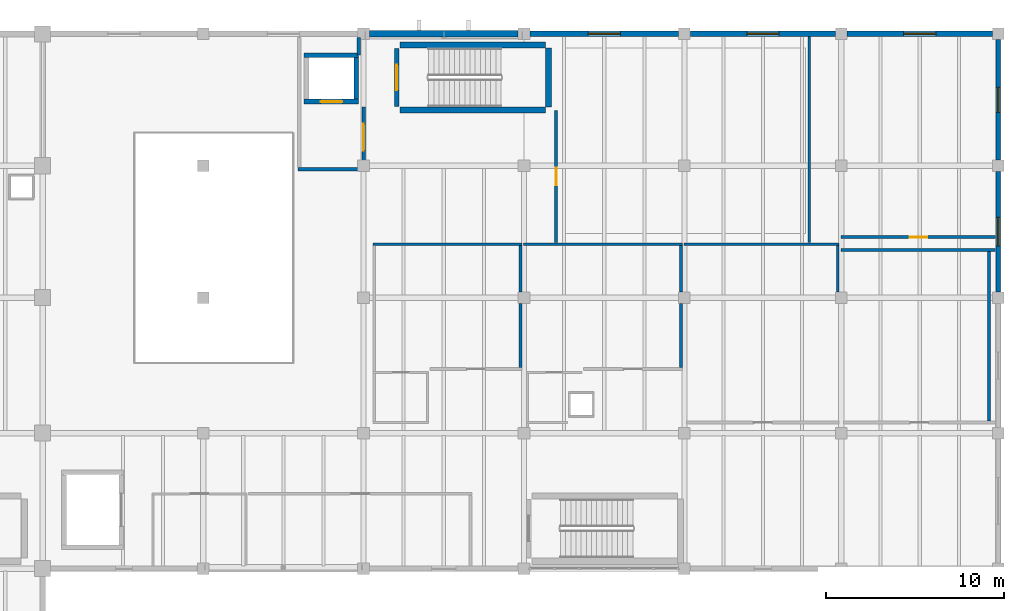
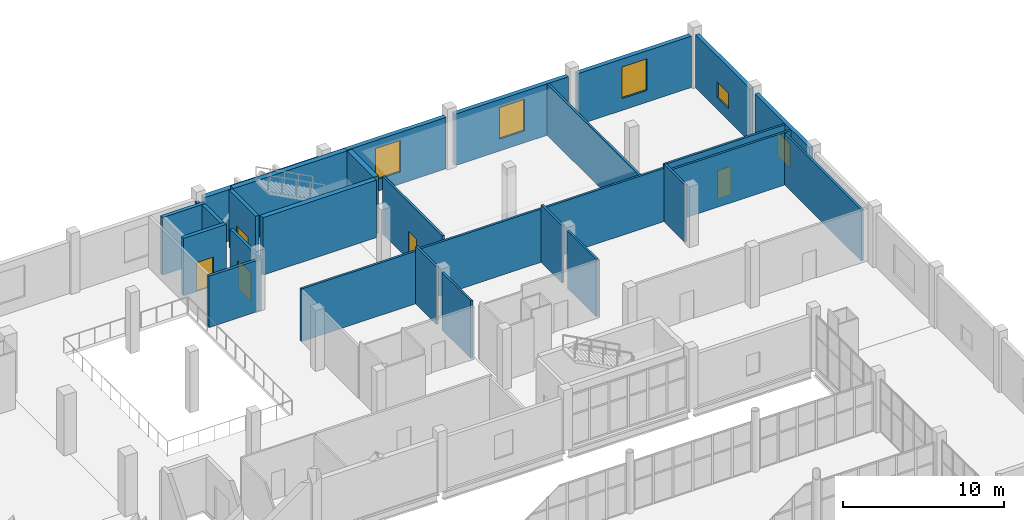
# One storey, part 158 of 172: 29 walls, 5 doors, 5 windows, 10 openings.
"""IFC4 building model written with IfcOpenShell, lengths in metres."""

from ifc_helpers import new_model, si_unit, direction, frame, frame_2d, origin, place, context, subcontext, project, spatial, rectangle, extrude, material, layer, layer_set, type_object, element, fill, save


model = new_model("IFC4")

# Units and contexts
model_context = context("Model", 3, precision=1e-05, world=origin(), true_north=direction((0.0, 1.0)))
body_context = subcontext(model_context, "Body", "Model", "MODEL_VIEW")
ifc_project = project(units=[si_unit("LENGTHUNIT", "METRE"), si_unit("AREAUNIT", "SQUARE_METRE"), si_unit("VOLUMEUNIT", "CUBIC_METRE"), si_unit("PLANEANGLEUNIT", "RADIAN"), si_unit("MASSUNIT", "GRAM", prefix="KILO")], contexts=[model_context])

# Site, building, storey
site_placement = place(None, origin())
site = spatial("IfcSite", under=ifc_project, at=site_placement, CompositionType="ELEMENT")
building_placement = place(site_placement, origin())
building = spatial("IfcBuilding", under=site, at=building_placement, Name="Shengluoqiao Park Theatre", CompositionType="ELEMENT")
storey_placement = place(building_placement, frame((0.0, 0.0, 5.39990234375)))
storey = spatial("IfcBuildingStorey", under=building, at=storey_placement, Name="L01", CompositionType="ELEMENT", Elevation=5.39990234375)

# Wall, opening, window
ifc_material_1 = material(Name="Concrete C40", Category="concrete")
ifc_layer_1 = layer(ifc_material_1, 0.27001953125, Name="Concrete C40")
ifc_layer_set_1 = layer_set([ifc_layer_1], Name="Concrete C40")
wall_type_1 = type_object("IfcWallType", Name="ENV-WL-CONC270", PredefinedType="STANDARD", material=ifc_layer_set_1)
wall_1_placement = place(storey_placement, frame((166.0, 99.529052734375, 0.0), z_axis=(0.0, 0.0, 1.0), x_axis=(0.0, 1.0, 0.0)))
wall_1 = element("IfcWall", 1, at=wall_1_placement, inside=storey, type_object=wall_type_1, Name="L01 Exterior Wall 0209", PredefinedType="STANDARD", context=body_context, shape_type="SweptSolid", body=[
    extrude(rectangle(XDim=6.741943359375, YDim=0.27001953125, at=frame_2d((3.37109375, 0.0))), origin(), (0.0, 0.0, 1.0), 4.044189453125),
])
opening_1_placement = place(wall_1_placement, frame((2.571044921875, 0.0, 0.89990234375)))
opening_1 = element("IfcOpeningElement", 2, at=opening_1_placement, cuts=wall_1, Name="Opening W-06", PredefinedType="OPENING", context=body_context, shape_type="SweptSolid", body=[
    extrude(rectangle(XDim=1.60009765625, YDim=1.800048828125, at=frame_2d((0.800048828125, 0.89990234375))), frame((0.0, 0.14501953125, 0.0), z_axis=(0.0, -1.0, 0.0), x_axis=(1.0, 0.0, 0.0)), (0.0, 0.0, 1.0), 0.2900390625),
])
ifc_material_2 = material(Name="Insulated glass", Category="glass")
window_type_1 = type_object("IfcWindowType", Name="ENV-WIN-W06", PartitioningType="DOUBLE_PANEL_VERTICAL", PredefinedType="WINDOW", material=ifc_material_2)
window_1_placement = place(opening_1_placement, origin())
window_1 = element("IfcWindow", 3, at=window_1_placement, inside=storey, type_object=window_type_1, Name="L01 Acoustic Window 0055", OverallHeight=1.800048828125, OverallWidth=1.60009765625, PartitioningType="DOUBLE_PANEL_VERTICAL", PredefinedType="WINDOW", context=body_context, shape_type="SweptSolid", body=[
    extrude(rectangle(XDim=1.60009765625, YDim=1.800048828125, at=frame_2d((0.800048828125, 0.89990234375))), frame((0.0, 0.030029296875, 0.0), z_axis=(0.0, -1.0, 0.0), x_axis=(1.0, 0.0, 0.0)), (0.0, 0.0, 1.0), 0.06005859375),
])
fill(opening_1, window_1)

wall_2_placement = place(storey_placement, frame((166.0, 106.928955078125, 0.0), z_axis=(0.0, 0.0, 1.0), x_axis=(0.0, 1.0, 0.0)))
wall_2 = element("IfcWall", 4, at=wall_2_placement, inside=storey, type_object=wall_type_1, Name="L01 Exterior Wall 0210", PredefinedType="STANDARD", context=body_context, shape_type="SweptSolid", body=[
    extrude(rectangle(XDim=6.741943359375, YDim=0.27001953125, at=frame_2d((3.37109375, 0.0))), origin(), (0.0, 0.0, 1.0), 4.044189453125),
])
opening_2_placement = place(wall_2_placement, frame((2.6708984375, 0.0, 0.89990234375)))
opening_2 = element("IfcOpeningElement", 5, at=opening_2_placement, cuts=wall_2, Name="Opening W-12", PredefinedType="OPENING", context=body_context, shape_type="SweptSolid", body=[
    extrude(rectangle(XDim=1.39990234375, YDim=1.199951171875, at=frame_2d((0.699951171875, 0.60009765625))), frame((0.0, 0.14501953125, 0.0), z_axis=(0.0, -1.0, 0.0), x_axis=(1.0, 0.0, 0.0)), (0.0, 0.0, 1.0), 0.2900390625),
])
window_type_2 = type_object("IfcWindowType", Name="ENV-WIN-W12", PartitioningType="SINGLE_PANEL", PredefinedType="WINDOW", material=ifc_material_2)
window_2_placement = place(opening_2_placement, origin())
window_2 = element("IfcWindow", 6, at=window_2_placement, inside=storey, type_object=window_type_2, Name="L01 Acoustic Window 0056", OverallHeight=1.199951171875, OverallWidth=1.39990234375, PartitioningType="SINGLE_PANEL", PredefinedType="WINDOW", context=body_context, shape_type="SweptSolid", body=[
    extrude(rectangle(XDim=1.39990234375, YDim=1.199951171875, at=frame_2d((0.699951171875, 0.60009765625))), frame((0.0, 0.030029296875, 0.0), z_axis=(0.0, -1.0, 0.0), x_axis=(1.0, 0.0, 0.0)), (0.0, 0.0, 1.0), 0.06005859375),
])
fill(opening_2, window_2)

ifc_layer_2 = layer(ifc_material_1, 0.31005859375, Name="Concrete C40")
ifc_layer_set_2 = layer_set([ifc_layer_2], Name="Concrete C40")
wall_type_2 = type_object("IfcWallType", Name="ENV-WL-CONC310", PredefinedType="STANDARD", material=ifc_layer_set_2)
wall_3_placement = place(storey_placement, frame((139.72900390625, 114.0, 0.0), z_axis=(0.0, 0.0, 1.0), x_axis=(1.0, 0.0, 0.0)))
wall_3 = element("IfcWall", 7, at=wall_3_placement, inside=storey, type_object=wall_type_2, Name="L01 Exterior Wall 0189", PredefinedType="STANDARD", context=body_context, shape_type="SweptSolid", body=[
    extrude(rectangle(XDim=8.342041015625, YDim=0.31005859375, at=frame_2d((4.1708984375, 0.0))), origin(), (0.0, 0.0, 1.0), 3.898193359375),
])
opening_3_placement = place(wall_3_placement, frame((3.27099609375, 0.0, 0.89990234375)))
opening_3 = element("IfcOpeningElement", 8, at=opening_3_placement, cuts=wall_3, Name="Opening W-01", PredefinedType="OPENING", context=body_context, shape_type="SweptSolid", body=[
    extrude(rectangle(XDim=1.800048828125, YDim=2.39990234375, at=frame_2d((0.89990234375, 1.199951171875))), frame((0.0, 0.1650390625, 0.0), z_axis=(0.0, -1.0, 0.0), x_axis=(1.0, 0.0, 0.0)), (0.0, 0.0, 1.0), 0.330078125),
])
window_type_3 = type_object("IfcWindowType", Name="ENV-WIN-W01", PartitioningType="DOUBLE_PANEL_VERTICAL", PredefinedType="WINDOW", material=ifc_material_2)
window_3_placement = place(opening_3_placement, origin())
window_3 = element("IfcWindow", 9, at=window_3_placement, inside=storey, type_object=window_type_3, Name="L01 Acoustic Window 0036", OverallHeight=2.39990234375, OverallWidth=1.800048828125, PartitioningType="DOUBLE_PANEL_VERTICAL", PredefinedType="WINDOW", context=body_context, shape_type="SweptSolid", body=[
    extrude(rectangle(XDim=1.800048828125, YDim=2.39990234375, at=frame_2d((0.89990234375, 1.199951171875))), frame((0.0, 0.030029296875, 0.0), z_axis=(0.0, -1.0, 0.0), x_axis=(1.0, 0.0, 0.0)), (0.0, 0.0, 1.0), 0.06005859375),
])
fill(opening_3, window_3)

wall_4_placement = place(storey_placement, frame((148.72900390625, 114.0, 0.0), z_axis=(0.0, 0.0, 1.0), x_axis=(1.0, 0.0, 0.0)))
wall_4 = element("IfcWall", 10, at=wall_4_placement, inside=storey, type_object=wall_type_2, Name="L01 Exterior Wall 0190", PredefinedType="STANDARD", context=body_context, shape_type="SweptSolid", body=[
    extrude(rectangle(XDim=8.14208984375, YDim=0.31005859375, at=frame_2d((4.071044921875, 0.0))), origin(), (0.0, 0.0, 1.0), 3.898193359375),
])
opening_4_placement = place(wall_4_placement, frame((3.1708984375, 0.0, 0.89990234375)))
opening_4 = element("IfcOpeningElement", 11, at=opening_4_placement, cuts=wall_4, Name="Opening W-01", PredefinedType="OPENING", context=body_context, shape_type="SweptSolid", body=[
    extrude(rectangle(XDim=1.800048828125, YDim=2.39990234375, at=frame_2d((0.89990234375, 1.199951171875))), frame((0.0, 0.1650390625, 0.0), z_axis=(0.0, -1.0, 0.0), x_axis=(1.0, 0.0, 0.0)), (0.0, 0.0, 1.0), 0.330078125),
])
window_4_placement = place(opening_4_placement, origin())
window_4 = element("IfcWindow", 12, at=window_4_placement, inside=storey, type_object=window_type_3, Name="L01 Acoustic Window 0037", OverallHeight=2.39990234375, OverallWidth=1.800048828125, PartitioningType="DOUBLE_PANEL_VERTICAL", PredefinedType="WINDOW", context=body_context, shape_type="SweptSolid", body=[
    extrude(rectangle(XDim=1.800048828125, YDim=2.39990234375, at=frame_2d((0.89990234375, 1.199951171875))), frame((0.0, 0.030029296875, 0.0), z_axis=(0.0, -1.0, 0.0), x_axis=(1.0, 0.0, 0.0)), (0.0, 0.0, 1.0), 0.06005859375),
])
fill(opening_4, window_4)

wall_5_placement = place(storey_placement, frame((157.529052734375, 114.0, 0.0), z_axis=(0.0, 0.0, 1.0), x_axis=(1.0, 0.0, 0.0)))
wall_5 = element("IfcWall", 13, at=wall_5_placement, inside=storey, type_object=wall_type_2, Name="L01 Exterior Wall 0191", PredefinedType="STANDARD", context=body_context, shape_type="SweptSolid", body=[
    extrude(rectangle(XDim=8.141845703125, YDim=0.31005859375, at=frame_2d((4.07080078125, 0.0))), origin(), (0.0, 0.0, 1.0), 3.898193359375),
])
opening_5_placement = place(wall_5_placement, frame((3.1708984375, 0.0, 0.89990234375)))
opening_5 = element("IfcOpeningElement", 14, at=opening_5_placement, cuts=wall_5, Name="Opening W-01", PredefinedType="OPENING", context=body_context, shape_type="SweptSolid", body=[
    extrude(rectangle(XDim=1.800048828125, YDim=2.39990234375, at=frame_2d((0.89990234375, 1.199951171875))), frame((0.0, 0.1650390625, 0.0), z_axis=(0.0, -1.0, 0.0), x_axis=(1.0, 0.0, 0.0)), (0.0, 0.0, 1.0), 0.330078125),
])
window_5_placement = place(opening_5_placement, origin())
window_5 = element("IfcWindow", 15, at=window_5_placement, inside=storey, type_object=window_type_3, Name="L01 Acoustic Window 0038", OverallHeight=2.39990234375, OverallWidth=1.800048828125, PartitioningType="DOUBLE_PANEL_VERTICAL", PredefinedType="WINDOW", context=body_context, shape_type="SweptSolid", body=[
    extrude(rectangle(XDim=1.800048828125, YDim=2.39990234375, at=frame_2d((0.89990234375, 1.199951171875))), frame((0.0, 0.030029296875, 0.0), z_axis=(0.0, -1.0, 0.0), x_axis=(1.0, 0.0, 0.0)), (0.0, 0.0, 1.0), 0.06005859375),
])
fill(opening_5, window_5)

# Walls
ifc_material_3 = material(Name="Concrete C45", Category="concrete")
ifc_layer_3 = layer(ifc_material_3, 0.3798828125, Name="Concrete C45")
ifc_layer_set_3 = layer_set([ifc_layer_3], Name="Concrete C45")
wall_type_3 = type_object("IfcWallType", Name="ENV-WL-CONC380", PredefinedType="STANDARD", material=ifc_layer_set_3)
wall_6_placement = place(storey_placement, frame((130.72900390625, 114.0, 0.0), z_axis=(0.0, 0.0, 1.0), x_axis=(1.0, 0.0, 0.0)))
element("IfcWall", 16, at=wall_6_placement, inside=storey, type_object=wall_type_3, Name="L01 Exterior Wall 0188", PredefinedType="STANDARD", context=body_context, shape_type="SweptSolid", body=[
    extrude(rectangle(XDim=8.342041015625, YDim=0.3798828125, at=frame_2d((4.1708984375, 0.0))), origin(), (0.0, 0.0, 1.0), 3.898193359375),
])
ifc_material_4 = material(Name="Gypsum acoustic stud", Category="gypsum")
ifc_layer_4 = layer(ifc_material_4, 0.155029296875, Name="Gypsum acoustic stud")
ifc_layer_set_4 = layer_set([ifc_layer_4], Name="Gypsum acoustic stud")
wall_type_4 = type_object("IfcWallType", Name="INT-WL-DRS155", PredefinedType="PARTITIONING", material=ifc_layer_set_4)
wall_7_placement = place(storey_placement, frame((130.922607421875, 102.199951171875, 0.0), z_axis=(0.0, 0.0, 1.0), x_axis=(1.0, 0.0, 0.0)))
element("IfcWall", 17, at=wall_7_placement, inside=storey, type_object=wall_type_4, Name="Principal Dressing Room 01 Partition N", PredefinedType="PARTITIONING", context=body_context, shape_type="SweptSolid", body=[
    extrude(rectangle(XDim=8.35498046875, YDim=0.155029296875, at=frame_2d((4.177490234375, 0.0))), origin(), (0.0, 0.0, 1.0), 3.988037109375),
])
wall_8_placement = place(storey_placement, frame((139.199951171875, 95.283447265625, 0.0), z_axis=(0.0, 0.0, 1.0), x_axis=(0.0, 1.0, 0.0)))
element("IfcWall", 18, at=wall_8_placement, inside=storey, type_object=wall_type_4, Name="Principal Dressing Room 01 Partition E", PredefinedType="PARTITIONING", context=body_context, shape_type="SweptSolid", body=[
    extrude(rectangle(XDim=3.58544921875, YDim=0.155029296875, at=frame_2d((1.792724609375, 0.0))), origin(), (0.0, 0.0, 1.0), 4.360107421875),
])
wall_9_placement = place(storey_placement, frame((139.199951171875, 99.531005859375, 0.0), z_axis=(0.0, 0.0, 1.0), x_axis=(0.0, 1.0, 0.0)))
element("IfcWall", 19, at=wall_9_placement, inside=storey, type_object=wall_type_4, Name="Principal Dressing Room 01 Partition E", PredefinedType="PARTITIONING", context=body_context, shape_type="SweptSolid", body=[
    extrude(rectangle(XDim=2.58544921875, YDim=0.155029296875, at=frame_2d((1.292724609375, 0.0))), origin(), (0.0, 0.0, 1.0), 4.360107421875),
])
wall_10_placement = place(storey_placement, frame((139.375, 102.199951171875, 0.0), z_axis=(0.0, 0.0, 1.0), x_axis=(1.0, 0.0, 0.0)))
element("IfcWall", 20, at=wall_10_placement, inside=storey, type_object=wall_type_4, Name="Principal Dressing Room 02 Partition N", PredefinedType="PARTITIONING", context=body_context, shape_type="SweptSolid", body=[
    extrude(rectangle(XDim=8.902587890625, YDim=0.155029296875, at=frame_2d((4.451171875, 0.0))), origin(), (0.0, 0.0, 1.0), 4.044189453125),
])
wall_11_placement = place(storey_placement, frame((148.199951171875, 95.283447265625, 0.0), z_axis=(0.0, 0.0, 1.0), x_axis=(0.0, 1.0, 0.0)))
element("IfcWall", 21, at=wall_11_placement, inside=storey, type_object=wall_type_4, Name="Principal Dressing Room 02 Partition E", PredefinedType="PARTITIONING", context=body_context, shape_type="SweptSolid", body=[
    extrude(rectangle(XDim=3.58544921875, YDim=0.155029296875, at=frame_2d((1.792724609375, 0.0))), origin(), (0.0, 0.0, 1.0), 4.360107421875),
])
wall_12_placement = place(storey_placement, frame((148.199951171875, 99.531005859375, 0.0), z_axis=(0.0, 0.0, 1.0), x_axis=(0.0, 1.0, 0.0)))
element("IfcWall", 22, at=wall_12_placement, inside=storey, type_object=wall_type_4, Name="Principal Dressing Room 02 Partition E", PredefinedType="PARTITIONING", context=body_context, shape_type="SweptSolid", body=[
    extrude(rectangle(XDim=2.58544921875, YDim=0.155029296875, at=frame_2d((1.292724609375, 0.0))), origin(), (0.0, 0.0, 1.0), 4.360107421875),
])
wall_13_placement = place(storey_placement, frame((148.375, 102.199951171875, 0.0), z_axis=(0.0, 0.0, 1.0), x_axis=(1.0, 0.0, 0.0)))
element("IfcWall", 23, at=wall_13_placement, inside=storey, type_object=wall_type_4, Name="Chorus Dressing Room 01 Partition N", PredefinedType="PARTITIONING", context=body_context, shape_type="SweptSolid", body=[
    extrude(rectangle(XDim=8.702392578125, YDim=0.155029296875, at=frame_2d((4.35107421875, 0.0))), origin(), (0.0, 0.0, 1.0), 4.044189453125),
])
wall_14_placement = place(storey_placement, frame((157.0, 99.531005859375, 0.0), z_axis=(0.0, 0.0, 1.0), x_axis=(0.0, 1.0, 0.0)))
element("IfcWall", 24, at=wall_14_placement, inside=storey, type_object=wall_type_4, Name="Chorus Dressing Room 01 Partition E", PredefinedType="PARTITIONING", context=body_context, shape_type="SweptSolid", body=[
    extrude(rectangle(XDim=2.58544921875, YDim=0.155029296875, at=frame_2d((1.292724609375, 0.0))), origin(), (0.0, 0.0, 1.0), 4.360107421875),
])
wall_15_placement = place(storey_placement, frame((157.175048828125, 101.8798828125, 0.0), z_axis=(0.0, 0.0, 1.0), x_axis=(1.0, 0.0, 0.0)))
element("IfcWall", 25, at=wall_15_placement, inside=storey, type_object=wall_type_4, Name="Chorus Dressing Room 02 Partition N", PredefinedType="PARTITIONING", context=body_context, shape_type="SweptSolid", body=[
    extrude(rectangle(XDim=8.681884765625, YDim=0.155029296875, at=frame_2d((4.3408203125, 0.0))), origin(), (0.0, 0.0, 1.0), 3.988037109375),
])
wall_16_placement = place(storey_placement, frame((165.47998046875, 92.283447265625, 0.0), z_axis=(0.0, 0.0, 1.0), x_axis=(0.0, 1.0, 0.0)))
element("IfcWall", 26, at=wall_16_placement, inside=storey, type_object=wall_type_4, Name="Chorus Dressing Room 02 Partition E", PredefinedType="PARTITIONING", context=body_context, shape_type="SweptSolid", body=[
    extrude(rectangle(XDim=9.512939453125, YDim=0.155029296875, at=frame_2d((4.75634765625, 0.0))), origin(), (0.0, 0.0, 1.0), 3.898193359375),
])

# Wall, opening, door
wall_17_placement = place(storey_placement, frame((141.199951171875, 102.285400390625, 0.0), z_axis=(0.0, 0.0, 1.0), x_axis=(0.0, 1.0, 0.0)))
wall_17 = element("IfcWall", 27, at=wall_17_placement, inside=storey, type_object=wall_type_4, Name="Wardrobe Room Partition W", PredefinedType="PARTITIONING", context=body_context, shape_type="SweptSolid", body=[
    extrude(rectangle(XDim=7.419677734375, YDim=0.155029296875, at=frame_2d((3.7099609375, 0.0))), origin(), (0.0, 0.0, 1.0), 4.360107421875),
])
opening_6_placement = place(wall_17_placement, frame((3.2197265625, 0.0, 0.0)))
opening_6 = element("IfcOpeningElement", 28, at=opening_6_placement, cuts=wall_17, Name="Opening D-L01-046", PredefinedType="OPENING", context=body_context, shape_type="SweptSolid", body=[
    extrude(rectangle(XDim=0.97998046875, YDim=2.14990234375, at=frame_2d((0.489990234375, 1.074951171875))), frame((0.0, 0.08740234375, 0.0), z_axis=(0.0, -1.0, 0.0), x_axis=(1.0, 0.0, 0.0)), (0.0, 0.0, 1.0), 0.175048828125),
])
ifc_material_5 = material(Name="Timber veneer", Category="wood")
door_type_1 = type_object("IfcDoorType", Name="INT-DR-SNG098", OperationType="NOTDEFINED", PredefinedType="DOOR", material=ifc_material_5)
door_1_placement = place(opening_6_placement, origin())
door_1 = element("IfcDoor", 29, at=door_1_placement, inside=storey, type_object=door_type_1, Name="Wardrobe Room Door D-L01-046", OperationType="SINGLE_SWING_RIGHT", OverallHeight=2.14990234375, OverallWidth=0.97998046875, PredefinedType="DOOR", context=body_context, shape_type="SweptSolid", body=[
    extrude(rectangle(XDim=0.97998046875, YDim=2.14990234375, at=frame_2d((0.489990234375, 1.074951171875))), frame((0.0, 0.02490234375, 0.0), z_axis=(0.0, -1.0, 0.0), x_axis=(1.0, 0.0, 0.0)), (0.0, 0.0, 1.0), 0.050048828125),
])
fill(opening_6, door_1)

# Wall
wall_18_placement = place(storey_placement, frame((155.39990234375, 102.285400390625, 0.0), z_axis=(0.0, 0.0, 1.0), x_axis=(0.0, 1.0, 0.0)))
element("IfcWall", 30, at=wall_18_placement, inside=storey, type_object=wall_type_4, Name="Wardrobe Room Partition E", PredefinedType="PARTITIONING", context=body_context, shape_type="SweptSolid", body=[
    extrude(rectangle(XDim=11.551513671875, YDim=0.155029296875, at=frame_2d((5.77587890625, 0.0))), origin(), (0.0, 0.0, 1.0), 3.898193359375),
])

# Wall, opening, door
wall_19_placement = place(storey_placement, frame((157.175048828125, 102.60009765625, 0.0), z_axis=(0.0, 0.0, 1.0), x_axis=(1.0, 0.0, 0.0)))
wall_19 = element("IfcWall", 31, at=wall_19_placement, inside=storey, type_object=wall_type_4, Name="Green Room Partition S", PredefinedType="PARTITIONING", context=body_context, shape_type="SweptSolid", body=[
    extrude(rectangle(XDim=8.681884765625, YDim=0.155029296875, at=frame_2d((4.3408203125, 0.0))), origin(), (0.0, 0.0, 1.0), 3.988037109375),
])
opening_7_placement = place(wall_19_placement, frame((3.85107421875, 0.0, 0.0)))
opening_7 = element("IfcOpeningElement", 32, at=opening_7_placement, cuts=wall_19, Name="Opening D-L01-047", PredefinedType="OPENING", context=body_context, shape_type="SweptSolid", body=[
    extrude(rectangle(XDim=0.97998046875, YDim=2.14990234375, at=frame_2d((0.489990234375, 1.074951171875))), frame((0.0, 0.08740234375, 0.0), z_axis=(0.0, -1.0, 0.0), x_axis=(1.0, 0.0, 0.0)), (0.0, 0.0, 1.0), 0.175048828125),
])
door_2_placement = place(opening_7_placement, origin())
door_2 = element("IfcDoor", 33, at=door_2_placement, inside=storey, type_object=door_type_1, Name="Green Room Door D-L01-047", OperationType="SINGLE_SWING_LEFT", OverallHeight=2.14990234375, OverallWidth=0.97998046875, PredefinedType="DOOR", context=body_context, shape_type="SweptSolid", body=[
    extrude(rectangle(XDim=0.97998046875, YDim=2.14990234375, at=frame_2d((0.489990234375, 1.074951171875))), frame((0.0, 0.02490234375, 0.0), z_axis=(0.0, -1.0, 0.0), x_axis=(1.0, 0.0, 0.0)), (0.0, 0.0, 1.0), 0.050048828125),
])
fill(opening_7, door_2)

# Wall
ifc_material_6 = material(Name="Concrete blockwork B06", Category="masonry")
ifc_layer_5 = layer(ifc_material_6, 0.195068359375, Name="Concrete blockwork B06")
ifc_layer_set_5 = layer_set([ifc_layer_5], Name="Concrete blockwork B06")
wall_type_5 = type_object("IfcWallType", Name="INT-WL-FFL195", PredefinedType="PARTITIONING", material=ifc_layer_set_5)
wall_20_placement = place(storey_placement, frame((126.7099609375, 106.39990234375, 0.0), z_axis=(0.0, 0.0, 1.0), x_axis=(1.0, 0.0, 0.0)))
element("IfcWall", 34, at=wall_20_placement, inside=storey, type_object=wall_type_5, Name="L01 Firefighting Lift Lobby FF2 Fire Wall S", PredefinedType="PARTITIONING", context=body_context, shape_type="SweptSolid", body=[
    extrude(rectangle(XDim=3.780029296875, YDim=0.195068359375, at=frame_2d((1.89013671875, 0.0))), origin(), (0.0, 0.0, 1.0), 3.898193359375),
])

# Wall, opening, door
wall_21_placement = place(storey_placement, frame((130.39990234375, 106.5048828125, 0.0), z_axis=(0.0, 0.0, 1.0), x_axis=(0.0, 1.0, 0.0)))
wall_21 = element("IfcWall", 35, at=wall_21_placement, inside=storey, type_object=wall_type_5, Name="L01 Firefighting Lift Lobby FF2 Fire Wall E", PredefinedType="PARTITIONING", context=body_context, shape_type="SweptSolid", body=[
    extrude(rectangle(XDim=3.39013671875, YDim=0.195068359375, at=frame_2d((1.695068359375, 0.0))), origin(), (0.0, 0.0, 1.0), 4.044189453125),
])
opening_8_placement = place(wall_21_placement, frame((0.945068359375, 0.0, 0.0)))
opening_8 = element("IfcOpeningElement", 36, at=opening_8_placement, cuts=wall_21, Name="Opening FD-FFL-2-L01", PredefinedType="OPENING", context=body_context, shape_type="SweptSolid", body=[
    extrude(rectangle(XDim=1.5, YDim=2.199951171875, at=frame_2d((0.75, 1.10009765625))), frame((0.0, 0.107421875, 0.0), z_axis=(0.0, -1.0, 0.0), x_axis=(1.0, 0.0, 0.0)), (0.0, 0.0, 1.0), 0.215087890625),
])
ifc_material_7 = material(Name="Steel Q355", Category="steel")
door_type_2 = type_object("IfcDoorType", Name="INT-DR-FFL150", OperationType="DOUBLE_DOOR_SINGLE_SWING", PredefinedType="DOOR", material=ifc_material_7)
door_3_placement = place(opening_8_placement, origin())
door_3 = element("IfcDoor", 37, at=door_3_placement, inside=storey, type_object=door_type_2, Name="L01 Firefighting Lift Lobby FF2 Fire Door FD-FFL-2-L01", OperationType="DOUBLE_DOOR_SINGLE_SWING", OverallHeight=2.199951171875, OverallWidth=1.5, PredefinedType="DOOR", context=body_context, shape_type="SweptSolid", body=[
    extrude(rectangle(XDim=1.5, YDim=2.199951171875, at=frame_2d((0.75, 1.10009765625))), frame((0.0, 0.02490234375, 0.0), z_axis=(0.0, -1.0, 0.0), x_axis=(1.0, 0.0, 0.0)), (0.0, 0.0, 1.0), 0.050048828125),
])
fill(opening_8, door_3)

# Wall
wall_22_placement = place(storey_placement, frame((130.139892578125, 112.820068359375, 0.0), z_axis=(0.0, 0.0, 1.0), x_axis=(0.0, 1.0, 0.0)))
element("IfcWall", 38, at=wall_22_placement, inside=storey, type_object=wall_type_5, Name="L01 Firefighting Lift Lobby FF2 Fire Wall N", PredefinedType="PARTITIONING", context=body_context, shape_type="SweptSolid", body=[
    extrude(rectangle(XDim=0.9599609375, YDim=0.195068359375, at=frame_2d((0.47998046875, 0.0))), origin(), (0.0, 0.0, 1.0), 3.898193359375),
])

# Wall, opening, door
ifc_layer_6 = layer(ifc_material_1, 0.260009765625, Name="Concrete C40")
ifc_layer_set_6 = layer_set([ifc_layer_6], Name="Concrete C40")
wall_type_6 = type_object("IfcWallType", Name="INT-WL-SHF260", PredefinedType="STANDARD", material=ifc_layer_set_6)
wall_23_placement = place(storey_placement, frame((127.070068359375, 110.199951171875, 0.0), z_axis=(0.0, 0.0, 1.0), x_axis=(1.0, 0.0, 0.0)))
wall_23 = element("IfcWall", 39, at=wall_23_placement, inside=storey, type_object=wall_type_6, Name="L01 FF2 Lift Shaft Wall South", PredefinedType="STANDARD", context=body_context, shape_type="SweptSolid", body=[
    extrude(rectangle(XDim=3.059814453125, YDim=0.260009765625, at=frame_2d((1.52978515625, 0.0))), origin(), (0.0, 0.0, 1.0), 4.360107421875),
])
opening_9_placement = place(wall_23_placement, frame((0.919921875, 0.0, 0.0)))
opening_9 = element("IfcOpeningElement", 40, at=opening_9_placement, cuts=wall_23, Name="Opening LD-FF2-L01", PredefinedType="OPENING", context=body_context, shape_type="SweptSolid", body=[
    extrude(rectangle(XDim=1.219970703125, YDim=2.199951171875, at=frame_2d((0.60986328125, 1.10009765625))), frame((0.0, 0.139892578125, 0.0), z_axis=(0.0, -1.0, 0.0), x_axis=(1.0, 0.0, 0.0)), (0.0, 0.0, 1.0), 0.280029296875),
])
ifc_material_8 = material(Name="Stainless steel 304", Category="steel")
door_type_3 = type_object("IfcDoorType", Name="INT-DR-LD122", OperationType="SLIDING_TO_RIGHT", PredefinedType="DOOR", material=ifc_material_8)
door_4_placement = place(opening_9_placement, origin())
door_4 = element("IfcDoor", 41, at=door_4_placement, inside=storey, type_object=door_type_3, Name="FF2 Lift Landing Door LD-FF2-L01", OperationType="SLIDING_TO_RIGHT", OverallHeight=2.199951171875, OverallWidth=1.219970703125, PredefinedType="DOOR", context=body_context, shape_type="SweptSolid", body=[
    extrude(rectangle(XDim=1.219970703125, YDim=2.199951171875, at=frame_2d((0.60986328125, 1.10009765625))), frame((0.0, 0.02490234375, 0.0), z_axis=(0.0, -1.0, 0.0), x_axis=(1.0, 0.0, 0.0)), (0.0, 0.0, 1.0), 0.050048828125),
])
fill(opening_9, door_4)

# Walls
wall_24_placement = place(storey_placement, frame((127.070068359375, 112.800048828125, 0.0), z_axis=(0.0, 0.0, 1.0), x_axis=(1.0, 0.0, 0.0)))
element("IfcWall", 42, at=wall_24_placement, inside=storey, type_object=wall_type_6, Name="L01 FF2 Lift Shaft Wall North", PredefinedType="STANDARD", context=body_context, shape_type="SweptSolid", body=[
    extrude(rectangle(XDim=3.059814453125, YDim=0.260009765625, at=frame_2d((1.52978515625, 0.0))), origin(), (0.0, 0.0, 1.0), 4.360107421875),
])
wall_25_placement = place(storey_placement, frame((130.0, 110.3359375, 0.0), z_axis=(0.0, 0.0, 1.0), x_axis=(0.0, 1.0, 0.0)))
element("IfcWall", 43, at=wall_25_placement, inside=storey, type_object=wall_type_6, Name="L01 FF2 Lift Shaft Wall East", PredefinedType="STANDARD", context=body_context, shape_type="SweptSolid", body=[
    extrude(rectangle(XDim=2.328125, YDim=0.260009765625, at=frame_2d((1.1640625, 0.0))), origin(), (0.0, 0.0, 1.0), 4.360107421875),
])

# Wall, opening, door
ifc_layer_7 = layer(ifc_material_1, 0.239990234375, Name="Concrete C40")
ifc_layer_set_7 = layer_set([ifc_layer_7], Name="Concrete C40")
wall_type_7 = type_object("IfcWallType", Name="INT-WL-STW240", PredefinedType="STANDARD", material=ifc_layer_set_7)
wall_26_placement = place(storey_placement, frame((132.260009765625, 109.909912109375, 0.0), z_axis=(0.0, 0.0, 1.0), x_axis=(0.0, 1.0, 0.0)))
wall_26 = element("IfcWall", 44, at=wall_26_placement, inside=storey, type_object=wall_type_7, Name="L01 ST-06 Stairwell Fire Wall", PredefinedType="STANDARD", context=body_context, shape_type="SweptSolid", body=[
    extrude(rectangle(XDim=3.280029296875, YDim=0.239990234375, at=frame_2d((1.64013671875, 0.0))), origin(), (0.0, 0.0, 1.0), 4.360107421875),
])
opening_10_placement = place(wall_26_placement, frame((0.9150390625, 0.0, 0.0)))
opening_10 = element("IfcOpeningElement", 45, at=opening_10_placement, cuts=wall_26, Name="Opening SD-06-L01", PredefinedType="OPENING", context=body_context, shape_type="SweptSolid", body=[
    extrude(rectangle(XDim=1.449951171875, YDim=2.199951171875, at=frame_2d((0.72509765625, 1.10009765625))), frame((0.0, 0.1298828125, 0.0), z_axis=(0.0, -1.0, 0.0), x_axis=(1.0, 0.0, 0.0)), (0.0, 0.0, 1.0), 0.260009765625),
])
door_type_4 = type_object("IfcDoorType", Name="INT-DR-STW145", OperationType="DOUBLE_DOOR_SINGLE_SWING", PredefinedType="DOOR", material=ifc_material_7)
door_5_placement = place(opening_10_placement, origin())
door_5 = element("IfcDoor", 46, at=door_5_placement, inside=storey, type_object=door_type_4, Name="L01 ST-06 Escape Stair Door SD-06-L01", OperationType="DOUBLE_DOOR_SINGLE_SWING", OverallHeight=2.199951171875, OverallWidth=1.449951171875, PredefinedType="DOOR", context=body_context, shape_type="SweptSolid", body=[
    extrude(rectangle(XDim=1.449951171875, YDim=2.199951171875, at=frame_2d((0.72509765625, 1.10009765625))), frame((0.0, 0.02490234375, 0.0), z_axis=(0.0, -1.0, 0.0), x_axis=(1.0, 0.0, 0.0)), (0.0, 0.0, 1.0), 0.050048828125),
])
fill(opening_10, door_5)

# Walls
ifc_material_9 = material(Name="Concrete C50", Category="concrete")
ifc_layer_8 = layer(ifc_material_9, 0.35009765625, Name="Concrete C50")
ifc_layer_set_8 = layer_set([ifc_layer_8], Name="Concrete C50")
wall_type_8 = type_object("IfcWallType", Name="STR-SW-CORE350", PredefinedType="SHEAR", material=ifc_layer_set_8)
wall_27_placement = place(storey_placement, frame((132.449951171875, 109.719970703125, 0.0), z_axis=(0.0, 0.0, 1.0), x_axis=(1.0, 0.0, 0.0)))
element("IfcWall", 47, at=wall_27_placement, inside=storey, type_object=wall_type_8, Name="L01 ST-06 Core Left Shear Wall 0112", PredefinedType="SHEAR", context=body_context, shape_type="SweptSolid", body=[
    extrude(rectangle(XDim=8.150146484375, YDim=0.35009765625, at=frame_2d((4.0751953125, 0.0))), origin(), (0.0, 0.0, 1.0), 4.360107421875),
])
wall_28_placement = place(storey_placement, frame((140.780029296875, 109.89990234375, 0.0), z_axis=(0.0, 0.0, 1.0), x_axis=(0.0, 1.0, 0.0)))
element("IfcWall", 48, at=wall_28_placement, inside=storey, type_object=wall_type_8, Name="L01 ST-06 Core Far Shear Wall 0113", PredefinedType="SHEAR", context=body_context, shape_type="SweptSolid", body=[
    extrude(rectangle(XDim=3.300048828125, YDim=0.35009765625, at=frame_2d((1.64990234375, 0.0))), origin(), (0.0, 0.0, 1.0), 4.360107421875),
])
wall_29_placement = place(storey_placement, frame((140.60009765625, 113.3798828125, 0.0), z_axis=(0.0, 0.0, 1.0), x_axis=(-1.0, 0.0, 0.0)))
element("IfcWall", 49, at=wall_29_placement, inside=storey, type_object=wall_type_8, Name="L01 ST-06 Core Right Shear Wall 0114", PredefinedType="SHEAR", context=body_context, shape_type="SweptSolid", body=[
    extrude(rectangle(XDim=8.150146484375, YDim=0.35009765625, at=frame_2d((4.0751953125, 0.0))), origin(), (0.0, 0.0, 1.0), 4.360107421875),
])

save(model, "model.ifc")
